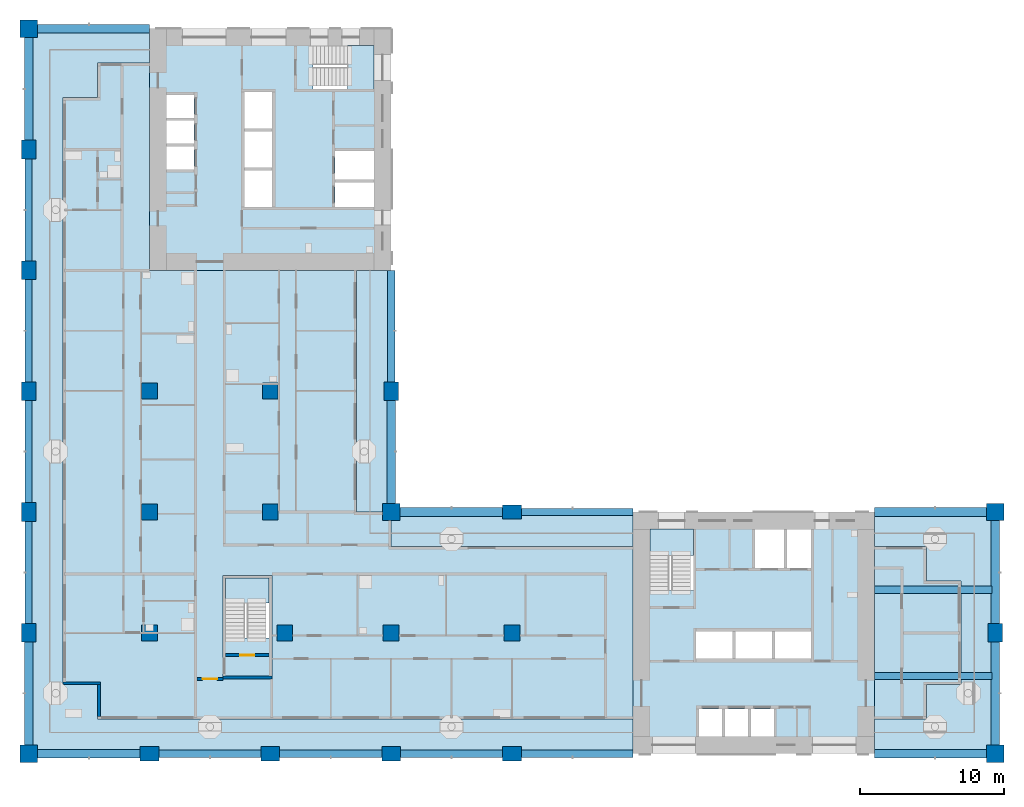
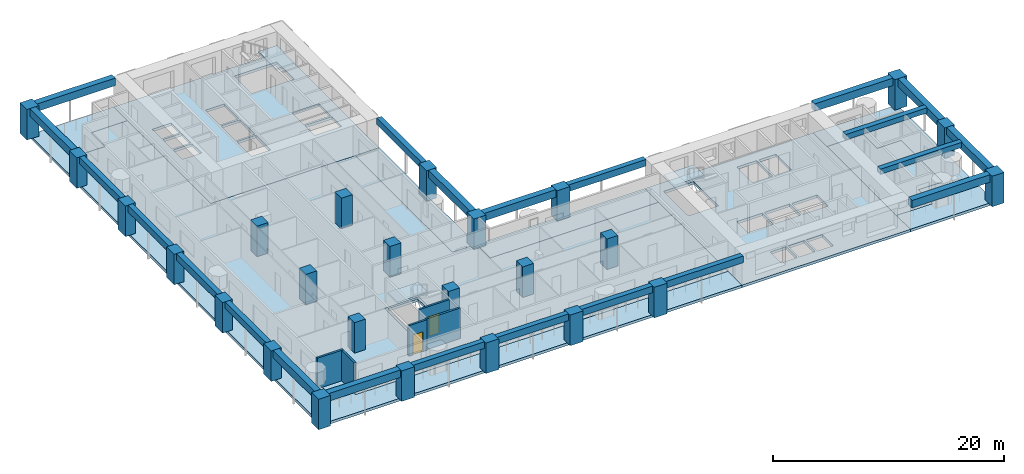
# One storey, part 1 of 18: 25 columns, 22 beams, 12 slabs, 5 walls, 2 doors, 2 openings, 3 elements without a shape of their own.
"""IFC4 building model written with IfcOpenShell, lengths in metres."""

from ifc_helpers import new_model, si_unit, direction, frame, frame_2d, origin, origin_2d, place, context, subcontext, project, spatial, polyline, rectangle, outline, extrude, material, layer, layer_set, material_profile, profile_set, type_object, element, fill, aggregate, save


model = new_model("IFC4")

# Units and contexts
model_context = context("Model", 3, precision=1e-05, world=origin(), true_north=direction((0.0, 1.0)))
body_context = subcontext(model_context, "Body", "Model", "MODEL_VIEW")
ifc_project = project(units=[si_unit("LENGTHUNIT", "METRE"), si_unit("AREAUNIT", "SQUARE_METRE"), si_unit("VOLUMEUNIT", "CUBIC_METRE"), si_unit("PLANEANGLEUNIT", "RADIAN"), si_unit("MASSUNIT", "GRAM", prefix="KILO")], contexts=[model_context])

# Site, building, storey
site_placement = place(None, origin())
site = spatial("IfcSite", under=ifc_project, at=site_placement, CompositionType="ELEMENT")
building_placement = place(site_placement, origin())
building = spatial("IfcBuilding", under=site, at=building_placement, Name="Vermilion Gate Residences", CompositionType="ELEMENT")
storey_placement = place(building_placement, frame((0.0, 0.0, 109.199951171875)))
storey = spatial("IfcBuildingStorey", under=building, at=storey_placement, Name="L27", CompositionType="ELEMENT", Elevation=109.199951171875)

# Columns
ifc_material_1 = material(Name="Concrete C70", Category="concrete")
ifc_material_profile_1 = material_profile(ifc_material_1, rectangle(XDim=1.10009765625, YDim=1.10009765625, at=origin_2d()), Name="RC-1100x1100")
ifc_profile_set_1 = profile_set([ifc_material_profile_1], Name="Concrete C70")
column_type_1 = type_object("IfcColumnType", Name="RC COLUMN 1100 X 1100 C70", PredefinedType="COLUMN", material=ifc_profile_set_1)
for number, where, z_axis, x_axis, name in (
    (1, (8.39990234375, 16.800048828125, 0.0), (0.0, 0.0, 1.0), (1.0, 0.0, 0.0), "Column 2-C L27"),
    (2, (8.39990234375, 25.199951171875, 0.0), (0.0, 0.0, 1.0), (1.0, 0.0, 0.0), "Column 2-D L27"),
    (3, (8.39990234375, 33.60009765625, 0.0), (0.0, 0.0, 1.0), (1.0, 0.0, 0.0), "Column 2-E L27"),
    (4, (17.800048828125, 16.800048828125, 0.0), (0.0, 0.0, 1.0), (1.0, 0.0, 0.0), "Column 3-C L27"),
    (5, (16.800048828125, 25.199951171875, 0.0), (0.0, 0.0, 1.0), (1.0, 0.0, 0.0), "Column 3-D L27"),
    (6, (16.800048828125, 33.60009765625, 0.0), (0.0, 0.0, 1.0), (1.0, 0.0, 0.0), "Column 3-E L27"),
    (7, (25.199951171875, 16.800048828125, 0.0), (0.0, 0.0, 1.0), (1.0, 0.0, 0.0), "Column 4-C L27"),
    (8, (33.60009765625, 16.800048828125, 0.0), (0.0, 0.0, 1.0), (1.0, 0.0, 0.0), "Column 5-C L27"),
):
    element("IfcColumn", number, at=place(storey_placement, frame(where, z_axis=z_axis, x_axis=x_axis)), inside=storey, type_object=column_type_1, Name=name, PredefinedType="COLUMN", context=body_context, shape_type="SweptSolid", body=[
        extrude(rectangle(XDim=1.10009765625, YDim=1.10009765625, at=origin_2d()), origin(), (0.0, 0.0, 1.0), 3.219970703125),
    ])
ifc_material_2 = material(Name="Concrete C70", Category="concrete")
ifc_material_profile_2 = material_profile(ifc_material_2, rectangle(XDim=1.199951171875, YDim=1.199951171875, at=origin_2d()), Name="RC-1200x1200")
ifc_profile_set_2 = profile_set([ifc_material_profile_2], Name="Concrete C70")
column_type_2 = type_object("IfcColumnType", Name="RC COLUMN 1200 X 1200 C70", PredefinedType="COLUMN", material=ifc_profile_set_2)
for number, where, z_axis, x_axis, name in (
    (9, (0.0, 8.39990234375, 0.0), (0.0, 0.0, 1.0), (1.0, 0.0, 0.0), "Column 1-B L27"),
    (10, (0.0, 58.800048828125, 0.0), (0.0, 0.0, 1.0), (1.0, 0.0, 0.0), "Column 1-H L27"),
    (11, (25.199951171875, 25.199951171875, 0.0), (0.0, 0.0, 1.0), (1.0, 0.0, 0.0), "Column 4-D L27"),
    (12, (67.199951171875, 8.39990234375, 0.0), (0.0, 0.0, 1.0), (1.0, 0.0, 0.0), "Column 9-B L27"),
    (13, (67.199951171875, 25.199951171875, 0.0), (0.0, 0.0, 1.0), (1.0, 0.0, 0.0), "Column 9-D L27"),
):
    element("IfcColumn", number, at=place(storey_placement, frame(where, z_axis=z_axis, x_axis=x_axis)), inside=storey, type_object=column_type_2, Name=name, PredefinedType="COLUMN", context=body_context, shape_type="SweptSolid", body=[
        extrude(rectangle(XDim=1.199951171875, YDim=1.199951171875, at=origin_2d()), origin(), (0.0, 0.0, 1.0), 3.219970703125),
    ])
ifc_material_3 = material(Name="Concrete C70", Category="concrete")
ifc_material_profile_3 = material_profile(ifc_material_3, rectangle(XDim=1.300048828125, YDim=1.0, at=origin_2d()), Name="RC-1300x1000")
ifc_profile_set_3 = profile_set([ifc_material_profile_3], Name="Concrete C70")
column_type_3 = type_object("IfcColumnType", Name="RC COLUMN 1300 X 1000 C70", PredefinedType="COLUMN", material=ifc_profile_set_3)
for number, where, z_axis, x_axis, name in (
    (14, (0.0, 16.800048828125, 0.0), (0.0, 0.0, 1.0), (0.0, 1.0, 0.0), "Column 1-C L27"),
    (15, (0.0, 25.199951171875, 0.0), (0.0, 0.0, 1.0), (0.0, 1.0, 0.0), "Column 1-D L27"),
    (16, (0.0, 33.60009765625, 0.0), (0.0, 0.0, 1.0), (0.0, 1.0, 0.0), "Column 1-E L27"),
    (17, (0.0, 42.0, 0.0), (0.0, 0.0, 1.0), (0.0, 1.0, 0.0), "Column 1-F L27"),
    (18, (0.0, 50.39990234375, 0.0), (0.0, 0.0, 1.0), (0.0, 1.0, 0.0), "Column 1-G L27"),
    (19, (8.39990234375, 8.39990234375, 0.0), (0.0, 0.0, 1.0), (1.0, 0.0, 0.0), "Column 2-B L27"),
    (20, (16.800048828125, 8.39990234375, 0.0), (0.0, 0.0, 1.0), (1.0, 0.0, 0.0), "Column 3-B L27"),
    (21, (25.199951171875, 8.39990234375, 0.0), (0.0, 0.0, 1.0), (1.0, 0.0, 0.0), "Column 4-B L27"),
    (22, (25.199951171875, 33.60009765625, 0.0), (0.0, 0.0, 1.0), (0.0, 1.0, 0.0), "Column 4-E L27"),
    (23, (33.60009765625, 8.39990234375, 0.0), (0.0, 0.0, 1.0), (1.0, 0.0, 0.0), "Column 5-B L27"),
    (24, (33.60009765625, 25.199951171875, 0.0), (0.0, 0.0, 1.0), (1.0, 0.0, 0.0), "Column 5-D L27"),
    (25, (67.199951171875, 16.800048828125, 0.0), (0.0, 0.0, 1.0), (0.0, 1.0, 0.0), "Column 9-C L27"),
):
    element("IfcColumn", number, at=place(storey_placement, frame(where, z_axis=z_axis, x_axis=x_axis)), inside=storey, type_object=column_type_3, Name=name, PredefinedType="COLUMN", context=body_context, shape_type="SweptSolid", body=[
        extrude(rectangle(XDim=1.300048828125, YDim=1.0, at=origin_2d()), origin(), (0.0, 0.0, 1.0), 3.219970703125),
    ])

# Beams
ifc_material_4 = material(Name="Concrete C60 red-oxide pigmented", Category="concrete")
ifc_material_profile_4 = material_profile(ifc_material_4, rectangle(XDim=0.60009765625, YDim=0.800048828125, at=origin_2d()), Name="RC-600x800")
ifc_profile_set_4 = profile_set([ifc_material_profile_4], Name="Concrete C60 red-oxide pigmented")
beam_type_1 = type_object("IfcBeamType", Name="RC CORNER EDGE BEAM 600 X 800 C60", PredefinedType="BEAM", material=ifc_profile_set_4)
for number, where, z_axis, x_axis, name in (
    (26, (0.60009765625, 8.39990234375, 2.820068359375), (1.0, 0.0, 0.0), (0.0, 1.0, 0.0), "Corner edge beam L27 1"),
    (27, (0.0, 9.0, 2.820068359375), (0.0, 1.0, 0.0), (-1.0, 0.0, 0.0), "Corner edge beam L27 2"),
):
    element("IfcBeam", number, at=place(storey_placement, frame(where, z_axis=z_axis, x_axis=x_axis)), inside=storey, type_object=beam_type_1, Name=name, PredefinedType="BEAM", context=body_context, shape_type="SweptSolid", body=[
        extrude(rectangle(XDim=0.60009765625, YDim=0.800048828125, at=origin_2d()), origin(), (0.0, 0.0, 1.0), 7.14990234375),
    ])
beam_1_placement = place(storey_placement, frame((0.60009765625, 58.800048828125, 2.820068359375), z_axis=(1.0, 0.0, 0.0), x_axis=(0.0, 1.0, 0.0)))
element("IfcBeam", 28, at=beam_1_placement, inside=storey, type_object=beam_type_1, Name="Corner edge beam L27 7", PredefinedType="BEAM", context=body_context, shape_type="SweptSolid", body=[
    extrude(rectangle(XDim=0.60009765625, YDim=0.800048828125, at=origin_2d()), origin(), (0.0, 0.0, 1.0), 7.7998046875),
])
for number, where, z_axis, x_axis, name in (
    (29, (0.0, 51.050048828125, 2.820068359375), (0.0, 1.0, 0.0), (-1.0, 0.0, 0.0), "Corner edge beam L27 8"),
    (30, (25.199951171875, 25.800048828125, 2.820068359375), (0.0, 1.0, 0.0), (-1.0, 0.0, 0.0), "Corner edge beam L27 11"),
    (31, (25.800048828125, 25.199951171875, 2.820068359375), (1.0, 0.0, 0.0), (0.0, 1.0, 0.0), "Corner edge beam L27 14"),
):
    element("IfcBeam", number, at=place(storey_placement, frame(where, z_axis=z_axis, x_axis=x_axis)), inside=storey, type_object=beam_type_1, Name=name, PredefinedType="BEAM", context=body_context, shape_type="SweptSolid", body=[
        extrude(rectangle(XDim=0.60009765625, YDim=0.800048828125, at=origin_2d()), origin(), (0.0, 0.0, 1.0), 7.14990234375),
    ])
beam_2_placement = place(storey_placement, frame((58.800048828125, 8.39990234375, 2.820068359375), z_axis=(1.0, 0.0, 0.0), x_axis=(0.0, 1.0, 0.0)))
element("IfcBeam", 32, at=beam_2_placement, inside=storey, type_object=beam_type_1, Name="Corner edge beam L27 17", PredefinedType="BEAM", context=body_context, shape_type="SweptSolid", body=[
    extrude(rectangle(XDim=0.60009765625, YDim=0.800048828125, at=origin_2d()), origin(), (0.0, 0.0, 1.0), 7.800048828125),
])
beam_3_placement = place(storey_placement, frame((67.199951171875, 9.0, 2.820068359375), z_axis=(0.0, 1.0, 0.0), x_axis=(-1.0, 0.0, 0.0)))
element("IfcBeam", 33, at=beam_3_placement, inside=storey, type_object=beam_type_1, Name="Corner edge beam L27 18", PredefinedType="BEAM", context=body_context, shape_type="SweptSolid", body=[
    extrude(rectangle(XDim=0.60009765625, YDim=0.800048828125, at=origin_2d()), origin(), (0.0, 0.0, 1.0), 7.14990234375),
])
beam_4_placement = place(storey_placement, frame((67.199951171875, 17.449951171875, 2.820068359375), z_axis=(0.0, 1.0, 0.0), x_axis=(-1.0, 0.0, 0.0)))
element("IfcBeam", 34, at=beam_4_placement, inside=storey, type_object=beam_type_1, Name="Corner edge beam L27 19", PredefinedType="BEAM", context=body_context, shape_type="SweptSolid", body=[
    extrude(rectangle(XDim=0.60009765625, YDim=0.800048828125, at=origin_2d()), origin(), (0.0, 0.0, 1.0), 7.150146484375),
])
beam_5_placement = place(storey_placement, frame((58.800048828125, 25.199951171875, 2.820068359375), z_axis=(1.0, 0.0, 0.0), x_axis=(0.0, 1.0, 0.0)))
element("IfcBeam", 35, at=beam_5_placement, inside=storey, type_object=beam_type_1, Name="Corner edge beam L27 20", PredefinedType="BEAM", context=body_context, shape_type="SweptSolid", body=[
    extrude(rectangle(XDim=0.60009765625, YDim=0.800048828125, at=origin_2d()), origin(), (0.0, 0.0, 1.0), 7.800048828125),
])
ifc_material_5 = material(Name="Concrete C60 red-oxide pigmented", Category="concrete")
ifc_material_profile_5 = material_profile(ifc_material_5, rectangle(XDim=0.5, YDim=0.699951171875, at=origin_2d()), Name="RC-500x700")
ifc_profile_set_5 = profile_set([ifc_material_profile_5], Name="Concrete C60 red-oxide pigmented")
beam_type_2 = type_object("IfcBeamType", Name="RC EDGE BEAM 500 X 700 C60", PredefinedType="BEAM", material=ifc_profile_set_5)
beam_6_placement = place(storey_placement, frame((0.0, 17.449951171875, 2.8701171875), z_axis=(0.0, 1.0, 0.0), x_axis=(-1.0, 0.0, 0.0)))
element("IfcBeam", 36, at=beam_6_placement, inside=storey, type_object=beam_type_2, Name="Edge beam L27 3", PredefinedType="BEAM", context=body_context, shape_type="SweptSolid", body=[
    extrude(rectangle(XDim=0.5, YDim=0.699951171875, at=origin_2d()), origin(), (0.0, 0.0, 1.0), 7.10009765625),
])
beam_7_placement = place(storey_placement, frame((0.0, 25.85009765625, 2.8701171875), z_axis=(0.0, 1.0, 0.0), x_axis=(-1.0, 0.0, 0.0)))
element("IfcBeam", 37, at=beam_7_placement, inside=storey, type_object=beam_type_2, Name="Edge beam L27 4", PredefinedType="BEAM", context=body_context, shape_type="SweptSolid", body=[
    extrude(rectangle(XDim=0.5, YDim=0.699951171875, at=origin_2d()), origin(), (0.0, 0.0, 1.0), 7.099853515625),
])
for number, where, z_axis, x_axis, name in (
    (38, (0.0, 34.25, 2.8701171875), (0.0, 1.0, 0.0), (-1.0, 0.0, 0.0), "Edge beam L27 5"),
    (39, (0.0, 42.64990234375, 2.8701171875), (0.0, 1.0, 0.0), (-1.0, 0.0, 0.0), "Edge beam L27 6"),
):
    element("IfcBeam", number, at=place(storey_placement, frame(where, z_axis=z_axis, x_axis=x_axis)), inside=storey, type_object=beam_type_2, Name=name, PredefinedType="BEAM", context=body_context, shape_type="SweptSolid", body=[
        extrude(rectangle(XDim=0.5, YDim=0.699951171875, at=origin_2d()), origin(), (0.0, 0.0, 1.0), 7.10009765625),
    ])
beam_8_placement = place(storey_placement, frame((9.050048828125, 8.39990234375, 2.8701171875), z_axis=(1.0, 0.0, 0.0), x_axis=(0.0, 1.0, 0.0)))
element("IfcBeam", 40, at=beam_8_placement, inside=storey, type_object=beam_type_2, Name="Edge beam L27 9", PredefinedType="BEAM", context=body_context, shape_type="SweptSolid", body=[
    extrude(rectangle(XDim=0.5, YDim=0.699951171875, at=origin_2d()), origin(), (0.0, 0.0, 1.0), 7.099853515625),
])
beam_9_placement = place(storey_placement, frame((17.449951171875, 8.39990234375, 2.8701171875), z_axis=(1.0, 0.0, 0.0), x_axis=(0.0, 1.0, 0.0)))
element("IfcBeam", 41, at=beam_9_placement, inside=storey, type_object=beam_type_2, Name="Edge beam L27 10", PredefinedType="BEAM", context=body_context, shape_type="SweptSolid", body=[
    extrude(rectangle(XDim=0.5, YDim=0.699951171875, at=origin_2d()), origin(), (0.0, 0.0, 1.0), 7.10009765625),
])
beam_10_placement = place(storey_placement, frame((25.199951171875, 34.25, 2.8701171875), z_axis=(0.0, 1.0, 0.0), x_axis=(-1.0, 0.0, 0.0)))
element("IfcBeam", 42, at=beam_10_placement, inside=storey, type_object=beam_type_2, Name="Edge beam L27 12", PredefinedType="BEAM", context=body_context, shape_type="SweptSolid", body=[
    extrude(rectangle(XDim=0.5, YDim=0.699951171875, at=origin_2d()), origin(), (0.0, 0.0, 1.0), 7.75),
])
beam_11_placement = place(storey_placement, frame((25.85009765625, 8.39990234375, 2.8701171875), z_axis=(1.0, 0.0, 0.0), x_axis=(0.0, 1.0, 0.0)))
element("IfcBeam", 43, at=beam_11_placement, inside=storey, type_object=beam_type_2, Name="Edge beam L27 13", PredefinedType="BEAM", context=body_context, shape_type="SweptSolid", body=[
    extrude(rectangle(XDim=0.5, YDim=0.699951171875, at=origin_2d()), origin(), (0.0, 0.0, 1.0), 7.099853515625),
])
for number, where, z_axis, x_axis, name in (
    (44, (34.25, 8.39990234375, 2.8701171875), (1.0, 0.0, 0.0), (0.0, 1.0, 0.0), "Edge beam L27 15"),
    (45, (34.25, 25.199951171875, 2.8701171875), (1.0, 0.0, 0.0), (0.0, 1.0, 0.0), "Edge beam L27 16"),
):
    element("IfcBeam", number, at=place(storey_placement, frame(where, z_axis=z_axis, x_axis=x_axis)), inside=storey, type_object=beam_type_2, Name=name, PredefinedType="BEAM", context=body_context, shape_type="SweptSolid", body=[
        extrude(rectangle(XDim=0.5, YDim=0.699951171875, at=origin_2d()), origin(), (0.0, 0.0, 1.0), 7.75),
    ])
ifc_material_6 = material(Name="Concrete C60", Category="concrete")
ifc_material_profile_6 = material_profile(ifc_material_6, rectangle(XDim=0.5, YDim=0.550048828125, at=origin_2d()), Name="RC-500x550")
ifc_profile_set_6 = profile_set([ifc_material_profile_6], Name="Concrete C60")
beam_type_3 = type_object("IfcBeamType", Name="RC WING BEAM 500 X 550 C60", PredefinedType="BEAM", material=ifc_profile_set_6)
for number, where, z_axis, x_axis, name in (
    (46, (58.800048828125, 13.800048828125, 2.945068359375), (1.0, 0.0, 0.0), (0.0, 1.0, 0.0), "Wing-end beam L27 1"),
    (47, (58.800048828125, 19.800048828125, 2.945068359375), (1.0, 0.0, 0.0), (0.0, 1.0, 0.0), "Wing-end beam L27 2"),
):
    element("IfcBeam", number, at=place(storey_placement, frame(where, z_axis=z_axis, x_axis=x_axis)), inside=storey, type_object=beam_type_3, Name=name, PredefinedType="BEAM", context=body_context, shape_type="SweptSolid", body=[
        extrude(rectangle(XDim=0.5, YDim=0.550048828125, at=origin_2d()), origin(), (0.0, 0.0, 1.0), 8.14990234375),
    ])

# Slabs
ifc_material_7 = material(Name="Concrete C50", Category="concrete")
ifc_layer_1 = layer(ifc_material_7, 0.280029296875)
ifc_layer_set_1 = layer_set([ifc_layer_1], Name="RC CORE FLOOR SLAB 280 C50")
slab_type_1 = type_object("IfcSlabType", Name="RC CORE FLOOR SLAB 280 C50", PredefinedType="FLOOR", material=ifc_layer_set_1)
slab_1_placement = place(storey_placement, frame((0.0, 0.0, -0.280029296875)))
element("IfcSlab", 48, at=slab_1_placement, inside=storey, type_object=slab_type_1, Name="Core floor slab A27", PredefinedType="FLOOR", context=body_context, shape_type="SweptSolid", body=[
    extrude(outline(polyline([(42.0, 8.39990234375), (58.800048828125, 8.39990234375), (58.800048828125, 25.199951171875), (42.0, 25.199951171875), (42.0, 8.39990234375)]), holes=[polyline([(46.60009765625, 11.5), (48.199951171875, 11.5), (48.199951171875, 9.60009765625), (46.60009765625, 9.60009765625), (46.60009765625, 11.5)]), polyline([(48.39990234375, 11.5), (50.0, 11.5), (50.0, 9.60009765625), (48.39990234375, 9.60009765625), (48.39990234375, 11.5)]), polyline([(50.199951171875, 11.5), (51.800048828125, 11.5), (51.800048828125, 9.60009765625), (50.199951171875, 9.60009765625), (50.199951171875, 11.5)]), polyline([(46.39990234375, 16.89990234375), (48.933349609375, 16.89990234375), (48.933349609375, 15.0), (46.39990234375, 15.0), (46.39990234375, 16.89990234375)]), polyline([(49.13330078125, 16.89990234375), (51.666748046875, 16.89990234375), (51.666748046875, 15.0), (49.13330078125, 15.0), (49.13330078125, 16.89990234375)]), polyline([(51.86669921875, 16.89990234375), (54.39990234375, 16.89990234375), (54.39990234375, 15.0), (51.86669921875, 15.0), (51.86669921875, 16.89990234375)]), polyline([(43.199951171875, 24.0), (46.199951171875, 24.0), (46.199951171875, 19.75), (43.199951171875, 19.75), (43.199951171875, 24.0)]), polyline([(52.5, 24.0), (52.5, 21.300048828125), (50.5, 21.300048828125), (50.5, 24.0), (52.5, 24.0)]), polyline([(54.39990234375, 24.0), (54.39990234375, 21.300048828125), (52.699951171875, 21.300048828125), (52.699951171875, 24.0), (54.39990234375, 24.0)])]), origin(), (0.0, 0.0, 1.0), 0.280029296875),
])
slab_2_placement = place(storey_placement, frame((0.0, 0.0, -0.280029296875)))
element("IfcSlab", 49, at=slab_2_placement, inside=storey, type_object=slab_type_1, Name="Core floor slab B27", PredefinedType="FLOOR", context=body_context, shape_type="SweptSolid", body=[
    extrude(outline(polyline([(8.39990234375, 42.0), (25.199951171875, 42.0), (25.199951171875, 58.800048828125), (8.39990234375, 58.800048828125), (8.39990234375, 42.0)]), holes=[polyline([(21.300048828125, 48.10009765625), (24.0, 48.10009765625), (24.0, 46.39990234375), (21.300048828125, 46.39990234375), (21.300048828125, 48.10009765625)]), polyline([(15.0, 48.933349609375), (16.89990234375, 48.933349609375), (16.89990234375, 46.39990234375), (15.0, 46.39990234375), (15.0, 48.933349609375)]), polyline([(21.300048828125, 50.300048828125), (24.0, 50.300048828125), (24.0, 48.300048828125), (21.300048828125, 48.300048828125), (21.300048828125, 50.300048828125)]), polyline([(9.60009765625, 50.60009765625), (11.5, 50.60009765625), (11.5, 49.0), (9.60009765625, 49.0), (9.60009765625, 50.60009765625)]), polyline([(15.0, 51.666748046875), (16.89990234375, 51.666748046875), (16.89990234375, 49.13330078125), (15.0, 49.13330078125), (15.0, 51.666748046875)]), polyline([(9.60009765625, 52.39990234375), (11.5, 52.39990234375), (11.5, 50.800048828125), (9.60009765625, 50.800048828125), (9.60009765625, 52.39990234375)]), polyline([(15.0, 54.39990234375), (16.89990234375, 54.39990234375), (16.89990234375, 51.86669921875), (15.0, 51.86669921875), (15.0, 54.39990234375)]), polyline([(11.5, 54.199951171875), (11.5, 52.60009765625), (9.60009765625, 52.60009765625), (9.60009765625, 54.199951171875), (11.5, 54.199951171875)]), polyline([(24.0, 57.60009765625), (24.0, 54.60009765625), (19.75, 54.60009765625), (19.75, 57.60009765625), (24.0, 57.60009765625)])]), origin(), (0.0, 0.0, 1.0), 0.280029296875),
])
slab_3_placement = place(storey_placement, frame((0.0, 0.0, -0.280029296875)))
element("IfcSlab", 50, at=slab_3_placement, inside=storey, type_object=slab_type_1, Name="Apex stair floor slab 27", PredefinedType="FLOOR", context=body_context, shape_type="SweptSolid", body=[
    extrude(outline(polyline([(13.5, 13.60009765625), (16.89990234375, 13.60009765625), (16.89990234375, 20.800048828125), (13.5, 20.800048828125), (13.5, 13.60009765625)]), holes=[polyline([(16.699951171875, 20.60009765625), (16.699951171875, 16.449951171875), (13.699951171875, 16.449951171875), (13.699951171875, 20.60009765625), (16.699951171875, 20.60009765625)])]), origin(), (0.0, 0.0, 1.0), 0.280029296875),
])
ifc_material_8 = material(Name="Concrete C50", Category="concrete")
ifc_layer_2 = layer(ifc_material_8, 0.280029296875)
ifc_layer_set_2 = layer_set([ifc_layer_2], Name="RC FLAT PLATE 280 C50")
slab_type_2 = type_object("IfcSlabType", Name="RC FLAT PLATE 280 C50", PredefinedType="FLOOR", material=ifc_layer_set_2)
slab_4_placement = place(storey_placement, frame((0.0, 0.0, -0.280029296875)))
element("IfcSlab", 51, at=slab_4_placement, inside=storey, type_object=slab_type_2, Name="Floor slab L27", PredefinedType="FLOOR", context=body_context, shape_type="SweptSolid", body=[
    extrude(outline(polyline([(22.800048828125, 25.199951171875), (22.800048828125, 42.0), (8.39990234375, 42.0), (8.39990234375, 56.39990234375), (4.800048828125, 56.39990234375), (4.800048828125, 54.0), (2.39990234375, 54.0), (2.39990234375, 13.199951171875), (4.800048828125, 13.199951171875), (4.800048828125, 10.800048828125), (42.0, 10.800048828125), (42.0, 22.800048828125), (25.199951171875, 22.800048828125), (25.199951171875, 25.199951171875), (22.800048828125, 25.199951171875)]), holes=[polyline([(13.5, 13.60009765625), (13.5, 20.800048828125), (16.89990234375, 20.800048828125), (16.89990234375, 13.60009765625), (13.5, 13.60009765625)])]), origin(), (0.0, 0.0, 1.0), 0.280029296875),
])
slab_5_placement = place(storey_placement, frame((0.0, 0.0, -0.280029296875)))
element("IfcSlab", 52, at=slab_5_placement, inside=storey, type_object=slab_type_2, Name="Floor slab L27", PredefinedType="FLOOR", context=body_context, shape_type="SweptSolid", body=[
    extrude(outline(polyline([(58.800048828125, 22.800048828125), (58.800048828125, 10.800048828125), (62.39990234375, 10.800048828125), (62.39990234375, 13.199951171875), (64.800048828125, 13.199951171875), (64.800048828125, 20.39990234375), (62.39990234375, 20.39990234375), (62.39990234375, 22.800048828125), (58.800048828125, 22.800048828125)])), origin(), (0.0, 0.0, 1.0), 0.280029296875),
])
ifc_material_9 = material(Name="Concrete C50 red-oxide pigmented", Category="concrete")
ifc_layer_3 = layer(ifc_material_9, 0.280029296875)
ifc_layer_set_3 = layer_set([ifc_layer_3], Name="RC LOGGIA SLAB 280 C50")
slab_type_3 = type_object("IfcSlabType", Name="RC LOGGIA SLAB 280 C50", PredefinedType="FLOOR", material=ifc_layer_set_3)
slab_6_placement = place(storey_placement, frame((0.0, 0.0, -0.280029296875)))
element("IfcSlab", 53, at=slab_6_placement, inside=storey, type_object=slab_type_3, Name="Loggia slab L27", PredefinedType="FLOOR", context=body_context, shape_type="SweptSolid", body=[
    extrude(outline(polyline([(0.0, 58.800048828125), (0.0, 8.39990234375), (42.0, 8.39990234375), (42.0, 10.800048828125), (4.800048828125, 10.800048828125), (4.800048828125, 13.199951171875), (2.39990234375, 13.199951171875), (2.39990234375, 54.0), (4.800048828125, 54.0), (4.800048828125, 56.39990234375), (8.39990234375, 56.39990234375), (8.39990234375, 58.800048828125), (0.0, 58.800048828125)])), origin(), (0.0, 0.0, 1.0), 0.280029296875),
])
slab_7_placement = place(storey_placement, frame((0.0, 0.0, -0.280029296875)))
element("IfcSlab", 54, at=slab_7_placement, inside=storey, type_object=slab_type_3, Name="Loggia slab L27", PredefinedType="FLOOR", context=body_context, shape_type="SweptSolid", body=[
    extrude(outline(polyline([(64.800048828125, 20.39990234375), (64.800048828125, 13.199951171875), (62.39990234375, 13.199951171875), (62.39990234375, 10.800048828125), (58.800048828125, 10.800048828125), (58.800048828125, 8.39990234375), (67.199951171875, 8.39990234375), (67.199951171875, 25.199951171875), (58.800048828125, 25.199951171875), (58.800048828125, 22.800048828125), (62.39990234375, 22.800048828125), (62.39990234375, 20.39990234375), (64.800048828125, 20.39990234375)])), origin(), (0.0, 0.0, 1.0), 0.280029296875),
])
slab_8_placement = place(storey_placement, frame((0.0, 0.0, -0.280029296875)))
element("IfcSlab", 55, at=slab_8_placement, inside=storey, type_object=slab_type_3, Name="Loggia slab L27", PredefinedType="FLOOR", context=body_context, shape_type="SweptSolid", body=[
    extrude(outline(polyline([(25.199951171875, 22.800048828125), (42.0, 22.800048828125), (42.0, 25.199951171875), (25.199951171875, 25.199951171875), (25.199951171875, 22.800048828125)])), origin(), (0.0, 0.0, 1.0), 0.280029296875),
])
slab_9_placement = place(storey_placement, frame((0.0, 0.0, -0.280029296875)))
element("IfcSlab", 56, at=slab_9_placement, inside=storey, type_object=slab_type_3, Name="Loggia slab L27", PredefinedType="FLOOR", context=body_context, shape_type="SweptSolid", body=[
    extrude(outline(polyline([(25.199951171875, 25.199951171875), (25.199951171875, 42.0), (22.800048828125, 42.0), (22.800048828125, 25.199951171875), (25.199951171875, 25.199951171875)])), origin(), (0.0, 0.0, 1.0), 0.280029296875),
])

# Stair, slab
ifc_material_10 = material(Name="Concrete C50", Category="concrete")
stair_type = type_object("IfcStairType", Name="SPECIAL ESCAPE STAIR 1300", PredefinedType="HALF_TURN_STAIR", material=ifc_material_10)
stair_1_placement = place(storey_placement, origin())
stair_1 = element("IfcStair", 57, at=stair_1_placement, inside=storey, type_object=stair_type, Name="Special escape stair STA1-27", PredefinedType="HALF_TURN_STAIR")
ifc_material_11 = material(Name="Concrete C50", Category="concrete")
ifc_layer_4 = layer(ifc_material_11, 0.199951171875)
ifc_layer_set_4 = layer_set([ifc_layer_4], Name="STAIR LANDING 200 C50")
slab_type_4 = type_object("IfcSlabType", Name="STAIR LANDING 200 C50", PredefinedType="LANDING", material=ifc_layer_set_4)
slab_10_placement = place(storey_placement, frame((0.0, 0.0, 1.550048828125)))
slab_10 = element("IfcSlab", 58, at=slab_10_placement, type_object=slab_type_4, Name="STA1-27 landing 1", PredefinedType="LANDING", context=body_context, shape_type="SweptSolid", body=[
    extrude(outline(polyline([(46.219970703125, 22.179931640625), (46.219970703125, 24.02001953125), (43.179931640625, 24.02001953125), (43.179931640625, 22.179931640625), (46.219970703125, 22.179931640625)])), origin(), (0.0, 0.0, 1.0), 0.199951171875),
])
aggregate(stair_1, [slab_10])

stair_2_placement = place(storey_placement, origin())
stair_2 = element("IfcStair", 59, at=stair_2_placement, inside=storey, type_object=stair_type, Name="Special escape stair STB1-27", PredefinedType="HALF_TURN_STAIR")
slab_11_placement = place(storey_placement, frame((0.0, 0.0, 1.550048828125)))
slab_11 = element("IfcSlab", 60, at=slab_11_placement, type_object=slab_type_4, Name="STB1-27 landing 1", PredefinedType="LANDING", context=body_context, shape_type="SweptSolid", body=[
    extrude(outline(polyline([(24.02001953125, 54.580078125), (24.02001953125, 57.6201171875), (22.179931640625, 57.6201171875), (22.179931640625, 54.580078125), (24.02001953125, 54.580078125)])), origin(), (0.0, 0.0, 1.0), 0.199951171875),
])
aggregate(stair_2, [slab_11])

stair_3_placement = place(storey_placement, origin())
stair_3 = element("IfcStair", 61, at=stair_3_placement, inside=storey, type_object=stair_type, Name="Special escape stair STC1-27", PredefinedType="HALF_TURN_STAIR")
slab_12_placement = place(storey_placement, frame((0.0, 0.0, 1.550048828125)))
slab_12 = element("IfcSlab", 62, at=slab_12_placement, type_object=slab_type_4, Name="STC1-27 landing 1", PredefinedType="LANDING", context=body_context, shape_type="SweptSolid", body=[
    extrude(outline(polyline([(16.719970703125, 18.8798828125), (16.719970703125, 20.6201171875), (13.679931640625, 20.6201171875), (13.679931640625, 18.8798828125), (16.719970703125, 18.8798828125)])), origin(), (0.0, 0.0, 1.0), 0.199951171875),
])
aggregate(stair_3, [slab_12])

# Walls
ifc_material_12 = material(Name="Insulated steel stud wall with terracotta rainscreen", Category="masonry")
ifc_layer_5 = layer(ifc_material_12, 0.199951171875)
ifc_layer_set_5 = layer_set([ifc_layer_5], Name="EXTERNAL WALL 200 TERRACOTTA RAINSCREEN")
wall_type_1 = type_object("IfcWallType", Name="EXTERNAL WALL 200 TERRACOTTA RAINSCREEN", PredefinedType="SOLIDWALL", material=ifc_layer_set_5)
wall_1_placement = place(storey_placement, frame((2.39990234375, 13.300048828125, 0.0), z_axis=(0.0, 0.0, 1.0), x_axis=(1.0, 0.0, 0.0)))
element("IfcWall", 63, at=wall_1_placement, inside=storey, type_object=wall_type_1, Name="External wall", PredefinedType="SOLIDWALL", context=body_context, shape_type="SweptSolid", body=[
    extrude(rectangle(XDim=2.60009765625, YDim=0.199951171875, at=frame_2d((1.300048828125, 0.0))), origin(), (0.0, 0.0, 1.0), 3.219970703125),
])
wall_2_placement = place(storey_placement, frame((4.89990234375, 13.199951171875, 0.0), z_axis=(0.0, 0.0, 1.0), x_axis=(0.0, -1.0, 0.0)))
element("IfcWall", 64, at=wall_2_placement, inside=storey, type_object=wall_type_1, Name="External wall", PredefinedType="SOLIDWALL", context=body_context, shape_type="SweptSolid", body=[
    extrude(rectangle(XDim=2.199951171875, YDim=0.199951171875, at=frame_2d((1.10009765625, 0.0))), origin(), (0.0, 0.0, 1.0), 3.219970703125),
])

# Wall, opening, door
ifc_material_13 = material(Name="Fire-rated plasterboard on steel studs", Category="steel")
ifc_layer_6 = layer(ifc_material_13, 0.199951171875)
ifc_layer_set_6 = layer_set([ifc_layer_6], Name="PARTY WALL 200 EI 120")
wall_type_2 = type_object("IfcWallType", Name="PARTY WALL 200 EI 120", PredefinedType="PARTITIONING", material=ifc_layer_set_6)
wall_3_placement = place(storey_placement, frame((11.699951171875, 13.60009765625, 0.0), z_axis=(0.0, 0.0, 1.0), x_axis=(1.0, 0.0, 0.0)))
wall_3 = element("IfcWall", 65, at=wall_3_placement, inside=storey, type_object=wall_type_2, Name="Party and corridor wall", PredefinedType="PARTITIONING", context=body_context, shape_type="SweptSolid", body=[
    extrude(rectangle(XDim=1.800048828125, YDim=0.199951171875, at=frame_2d((0.89990234375, 0.0))), origin(), (0.0, 0.0, 1.0), 3.219970703125),
])
opening_1_placement = place(wall_3_placement, frame((0.39990234375, 0.0, 0.0)))
opening_1 = element("IfcOpeningElement", 66, at=opening_1_placement, cuts=wall_3, Name="Opening DA25001", PredefinedType="OPENING", context=body_context, shape_type="SweptSolid", body=[
    extrude(rectangle(XDim=1.0, YDim=2.10009765625, at=frame_2d((0.5, 1.050048828125))), frame((0.0, 0.10986328125, 0.0), z_axis=(0.0, -1.0, 0.0), x_axis=(1.0, 0.0, 0.0)), (0.0, 0.0, 1.0), 0.219970703125),
])
ifc_material_14 = material(Name="Steel", Category="steel")
door_type_1 = type_object("IfcDoorType", Name="ENTRANCE DOOR 1000 X 2100 FD30", OperationType="SINGLE_SWING_LEFT", PredefinedType="DOOR", material=ifc_material_14)
door_1_placement = place(opening_1_placement, frame((1.0, 0.0, 0.0), z_axis=(0.0, 0.0, 1.0), x_axis=(-1.0, 0.0, 0.0)))
door_1 = element("IfcDoor", 67, at=door_1_placement, inside=storey, type_object=door_type_1, Name="Entrance door", OperationType="SINGLE_SWING_RIGHT", OverallHeight=2.10009765625, OverallWidth=1.0, PredefinedType="DOOR", context=body_context, shape_type="SweptSolid", body=[
    extrude(rectangle(XDim=1.0, YDim=2.10009765625, at=frame_2d((0.5, 1.050048828125))), frame((0.0, 0.02490234375, 0.0), z_axis=(0.0, -1.0, 0.0), x_axis=(1.0, 0.0, 0.0)), (0.0, 0.0, 1.0), 0.050048828125),
])
fill(opening_1, door_1)

# Wall
ifc_material_15 = material(Name="Concrete C60", Category="concrete")
ifc_layer_7 = layer(ifc_material_15, 0.199951171875)
ifc_layer_set_7 = layer_set([ifc_layer_7], Name="RC CORE INTERNAL WALL 200 C60")
wall_type_3 = type_object("IfcWallType", Name="RC CORE INTERNAL WALL 200 C60", PredefinedType="SHEAR", material=ifc_layer_set_7)
wall_4_placement = place(storey_placement, frame((13.5, 13.699951171875, 0.0), z_axis=(0.0, 0.0, 1.0), x_axis=(1.0, 0.0, 0.0)))
element("IfcWall", 68, at=wall_4_placement, inside=storey, type_object=wall_type_3, Name="Core internal wall C27-S", PredefinedType="SHEAR", context=body_context, shape_type="SweptSolid", body=[
    extrude(rectangle(XDim=3.39990234375, YDim=0.199951171875, at=frame_2d((1.699951171875, 0.0))), origin(), (0.0, 0.0, 1.0), 3.219970703125),
])

# Wall, opening, door
wall_5_placement = place(storey_placement, frame((13.699951171875, 15.25, 0.0), z_axis=(0.0, 0.0, 1.0), x_axis=(1.0, 0.0, 0.0)))
wall_5 = element("IfcWall", 69, at=wall_5_placement, inside=storey, type_object=wall_type_3, Name="Core internal wall C27-P", PredefinedType="SHEAR", context=body_context, shape_type="SweptSolid", body=[
    extrude(rectangle(XDim=3.0, YDim=0.199951171875, at=frame_2d((1.5, 0.0))), origin(), (0.0, 0.0, 1.0), 3.219970703125),
])
opening_2_placement = place(wall_5_placement, frame((1.0, 0.0, 0.0)))
opening_2 = element("IfcOpeningElement", 70, at=opening_2_placement, cuts=wall_5, Name="Opening DK27202", PredefinedType="OPENING", context=body_context, shape_type="SweptSolid", body=[
    extrude(rectangle(XDim=1.0, YDim=2.10009765625, at=frame_2d((0.5, 1.050048828125))), frame((0.0, 0.10986328125, 0.0), z_axis=(0.0, -1.0, 0.0), x_axis=(1.0, 0.0, 0.0)), (0.0, 0.0, 1.0), 0.219970703125),
])
ifc_material_16 = material(Name="Steel", Category="steel")
door_type_2 = type_object("IfcDoorType", Name="FIRE DOOR FD60 1000 X 2100", OperationType="SINGLE_SWING_LEFT", PredefinedType="DOOR", material=ifc_material_16)
door_2_placement = place(opening_2_placement, origin())
door_2 = element("IfcDoor", 71, at=door_2_placement, inside=storey, type_object=door_type_2, Name="Stair door C27", OperationType="SINGLE_SWING_LEFT", OverallHeight=2.10009765625, OverallWidth=1.0, PredefinedType="DOOR", context=body_context, shape_type="SweptSolid", body=[
    extrude(rectangle(XDim=1.0, YDim=2.10009765625, at=frame_2d((0.5, 1.050048828125))), frame((0.0, 0.02490234375, 0.0), z_axis=(0.0, -1.0, 0.0), x_axis=(1.0, 0.0, 0.0)), (0.0, 0.0, 1.0), 0.050048828125),
])
fill(opening_2, door_2)

save(model, "model.ifc")
